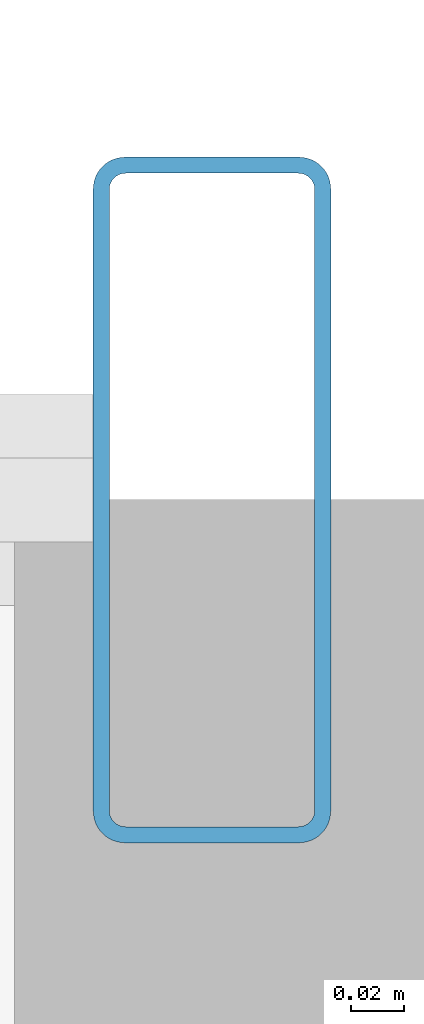
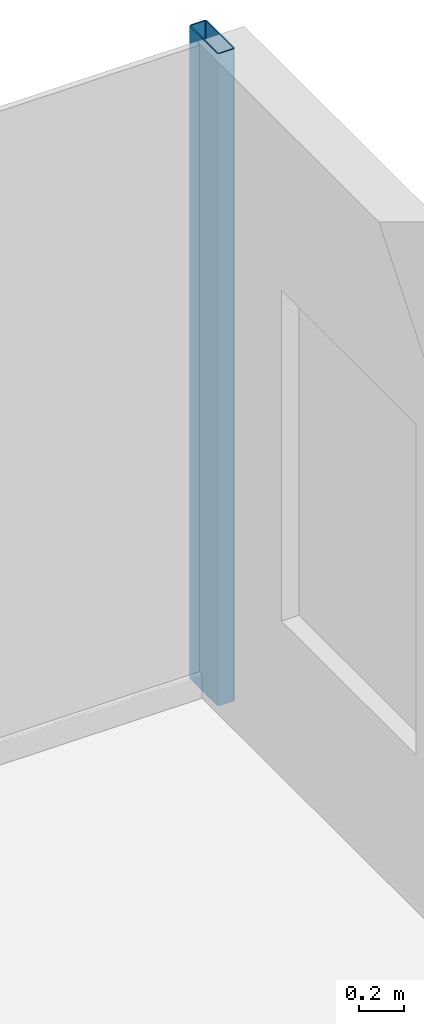
# One storey, part 17 of 29: 1 member, 1 element without a shape of its own.
"""IFC4 building model written with IfcOpenShell, lengths in metres."""

from ifc_helpers import new_model, si_unit, direction, frame, origin, origin_2d, place, context, subcontext, project, spatial, hollow_rectangle, extrude, source, transform, mapped, material, layer, layer_set, material_profile, profile_set, type_object, element, aggregate, save


model = new_model("IFC4")

# Units and contexts
model_context = context("Model", 3, precision=1e-05, world=origin(), true_north=direction((0.0, 1.0)))
body_context = subcontext(model_context, "Body", "Model", "MODEL_VIEW")
ifc_project = project(units=[si_unit("LENGTHUNIT", "METRE"), si_unit("AREAUNIT", "SQUARE_METRE"), si_unit("VOLUMEUNIT", "CUBIC_METRE"), si_unit("PLANEANGLEUNIT", "RADIAN"), si_unit("MASSUNIT", "GRAM", prefix="KILO")], contexts=[model_context])

# Site, building, storey
site_placement = place(None, origin())
site = spatial("IfcSite", under=ifc_project, at=site_placement, CompositionType="ELEMENT")
building_placement = place(site_placement, origin())
building = spatial("IfcBuilding", under=site, at=building_placement, Name="Nefas-Gora Pilgrimage Tower", CompositionType="ELEMENT")
storey_placement = place(building_placement, frame((0.0, 0.0, 113.60009765625)))
storey = spatial("IfcBuildingStorey", under=building, at=storey_placement, Name="L27", CompositionType="ELEMENT", Elevation=113.60009765625)

# Curtain wall, member
ifc_material_1 = material(Name="Dark ceramic-fritted solar-control aluminium-glass curtain wall", Category="aluminium")
ifc_layer = layer(ifc_material_1, 0.219970703125)
ifc_layer_set = layer_set([ifc_layer], Name="Dark ceramic-fritted solar-control aluminium-glass curtain wall")
curtain_wall_type = type_object("IfcCurtainWallType", Name="CW-SYS-2", PredefinedType="NOTDEFINED", material=ifc_layer_set)
curtain_wall_placement = place(storey_placement, origin())
curtain_wall = element("IfcCurtainWall", 1, at=curtain_wall_placement, inside=storey, type_object=curtain_wall_type, Name="L27 Unitised Curtain Wall CW2", PredefinedType="NOTDEFINED")
ifc_material_2 = material(Name="Anodised architectural aluminium", Category="aluminium")
ifc_material_profile = material_profile(ifc_material_2, hollow_rectangle(XDim=0.090087890625, YDim=0.260009765625, WallThickness=0.006103515625, InnerFilletRadius=0.006103515625, OuterFilletRadius=0.011962890625, at=origin_2d()), Name="ALU MULLION 90x260")
ifc_profile_set = profile_set([ifc_material_profile], Name="Anodised architectural aluminium")
member_type = type_object("IfcMemberType", Name="CWM-MUL-2", PredefinedType="MULLION", material=ifc_profile_set)
shared_shape = source(origin(), body_context, "Body", "SweptSolid", [
    extrude(hollow_rectangle(XDim=0.090087890625, YDim=0.260009765625, WallThickness=0.006103515625, InnerFilletRadius=0.006103515625, OuterFilletRadius=0.011962890625, at=origin_2d()), origin(), (0.0, 0.0, 1.0), 3.5498046875),
])
member_placement = place(storey_placement, frame((28.824951171875, 23.02001953125, 0.0), z_axis=(0.0, 0.0, 1.0), x_axis=(-1.0, 0.0, 0.0)))
member = element("IfcMember", 2, at=member_placement, type_object=member_type, Name="CW2 Mullion 1", PredefinedType="MULLION", context=body_context, shape_type="MappedRepresentation", body=[
    mapped(shared_shape, transform((0.0, 0.0, 0.0), x_axis=(1.0, 0.0, 0.0), y_axis=(0.0, 1.0, 0.0), z_axis=(0.0, 0.0, 1.0), scale=1.0)),
])
aggregate(curtain_wall, [member])

save(model, "model.ifc")
